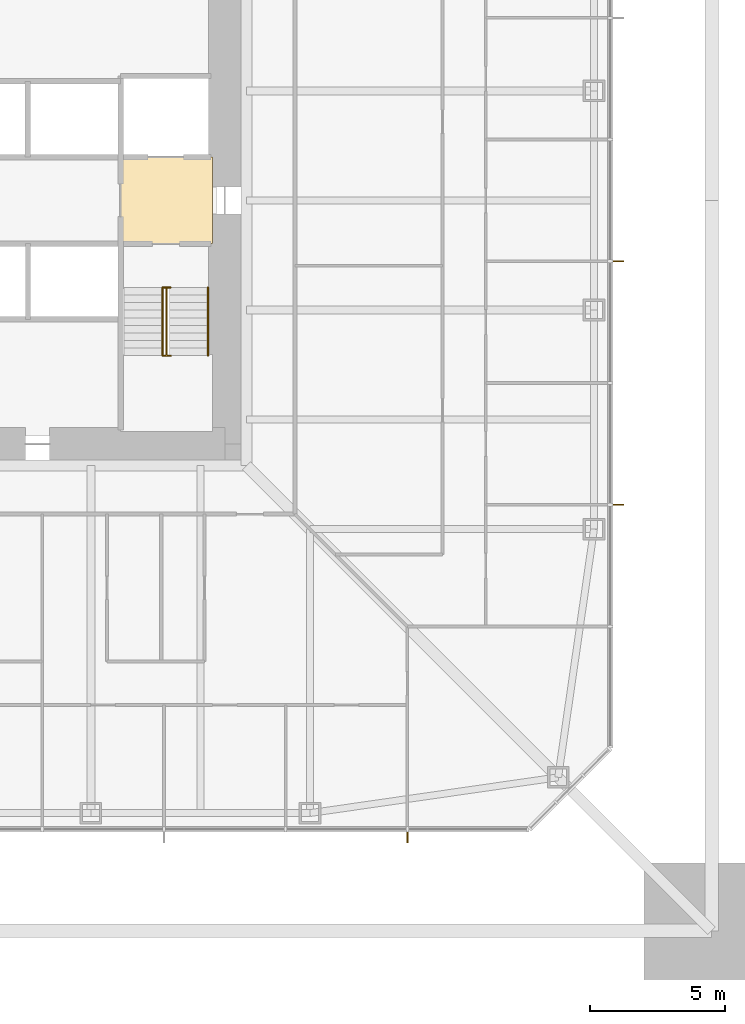
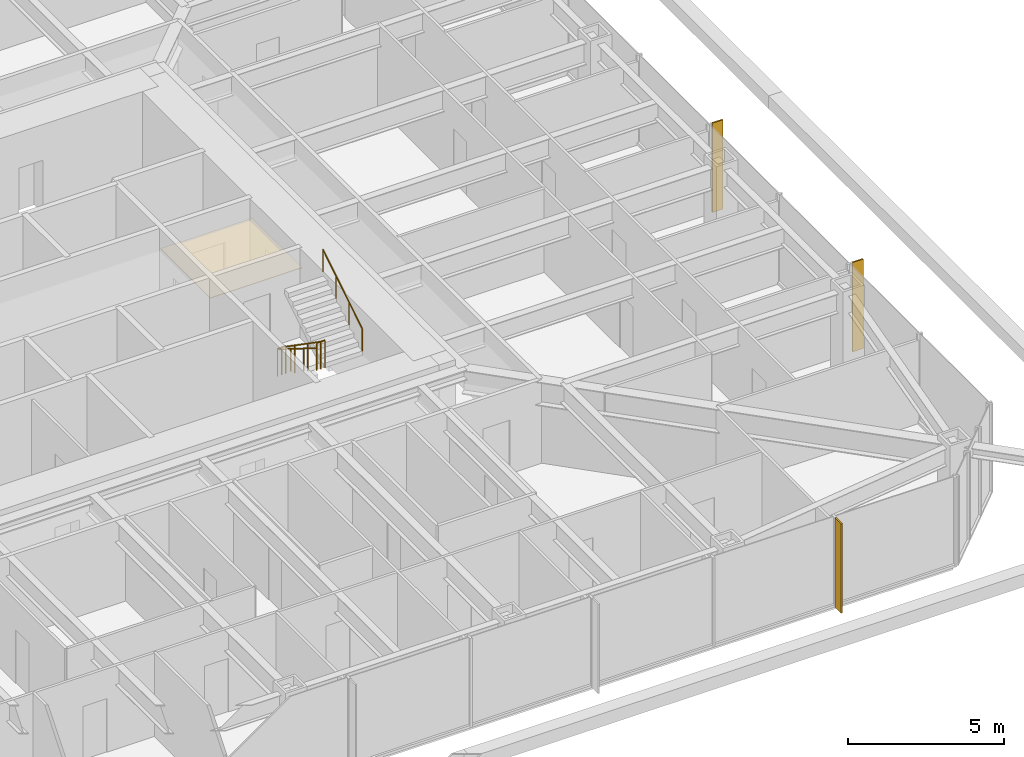
# One storey, part 25 of 27: 3 railings, 3 shading devices, 1 covering.
"""IFC4 building model written with IfcOpenShell, lengths in metres."""

from ifc_helpers import new_model, si_unit, direction, frame, origin, origin_2d, place, context, subcontext, project, spatial, polyline, rectangle, circle, outline, extrude, material, layer, layer_set, constituent, constituent_set, type_object, element, save


model = new_model("IFC4")

# Units and contexts
model_context = context("Model", 3, precision=1e-05, world=origin(), true_north=direction((0.0, 1.0)))
body_context = subcontext(model_context, "Body", "Model", "MODEL_VIEW")
ifc_project = project(units=[si_unit("LENGTHUNIT", "METRE"), si_unit("AREAUNIT", "SQUARE_METRE"), si_unit("VOLUMEUNIT", "CUBIC_METRE"), si_unit("PLANEANGLEUNIT", "RADIAN"), si_unit("MASSUNIT", "GRAM", prefix="KILO")], contexts=[model_context])

# Site, building, storey
site_placement = place(None, origin())
site = spatial("IfcSite", under=ifc_project, at=site_placement, CompositionType="ELEMENT")
building_placement = place(site_placement, origin())
building = spatial("IfcBuilding", under=site, at=building_placement, Name="Iwan Alto Co-Living Towers", CompositionType="ELEMENT")
storey_placement = place(building_placement, frame((0.0, 0.0, 53.5)))
storey = spatial("IfcBuildingStorey", under=building, at=storey_placement, Name="L14", CompositionType="ELEMENT", Elevation=53.5)

# Covering
ifc_material_1 = material(Name="Mineral fibre acoustic tiles on steel grid", Category="steel")
ifc_layer_1 = layer(ifc_material_1, 0.02001953125)
ifc_layer_set_1 = layer_set([ifc_layer_1], Name="ACOUSTIC TILE CEILING 20")
covering_type = type_object("IfcCoveringType", Name="ACOUSTIC TILE CEILING 20", PredefinedType="CEILING", material=ifc_layer_set_1)
covering_placement = place(storey_placement, frame((0.0, 0.0, 2.60009765625)))
element("IfcCovering", 1, at=covering_placement, inside=storey, type_object=covering_type, Name="Ceiling Firefighting lobby L14", PredefinedType="CEILING", context=body_context, shape_type="SweptSolid", body=[
    extrude(outline(polyline([(5.14990234375, -1.60009765625), (5.14990234375, 1.60009765625), (8.550048828125, 1.60009765625), (8.550048828125, -1.60009765625), (5.14990234375, -1.60009765625)])), origin(), (0.0, 0.0, 1.0), 0.02001953125),
])

# Shading devices
ifc_material_2 = material(Name="Aluminium 6063-T6 bronze anodised", Category="aluminium")
ifc_layer_2 = layer(ifc_material_2, 0.050048828125)
ifc_layer_set_2 = layer_set([ifc_layer_2], Name="BRONZE FIN 50X400")
shading_device_type = type_object("IfcShadingDeviceType", Name="BRONZE FIN 50X400", PredefinedType="USERDEFINED", material=ifc_layer_set_2)
for number, where, z_axis, x_axis, name in (
    (2, (15.75, -23.550048828125, 0.0), (0.0, 0.0, 1.0), (1.0, 0.0, 0.0), "Bronze fin L14"),
    (3, (23.550048828125, -11.25, 0.0), (0.0, 0.0, 1.0), (0.0, 1.0, 0.0), "Bronze fin L14"),
    (4, (23.550048828125, -2.25, 0.0), (0.0, 0.0, 1.0), (0.0, 1.0, 0.0), "Bronze fin L14"),
):
    element("IfcShadingDevice", number, at=place(storey_placement, frame(where, z_axis=z_axis, x_axis=x_axis)), inside=storey, type_object=shading_device_type, Name=name, ObjectType="LOUVER", PredefinedType="USERDEFINED", context=body_context, shape_type="SweptSolid", body=[
        extrude(rectangle(XDim=0.050048828125, YDim=0.39990234375, at=origin_2d()), origin(), (0.0, 0.0, 1.0), 3.5),
    ])

# Railings
ifc_material_3 = material(Name="Steel ASTM A500 Gr C", Category="steel")
ifc_constituent_1 = constituent(ifc_material_3, Name="Rails and posts", Category="Framing")
ifc_material_4 = material(Name="Steel ASTM A36", Category="steel")
ifc_constituent_2 = constituent(ifc_material_4, Name="Bar infill", Category="Infill")
ifc_constituent_set = constituent_set(constituents=[ifc_constituent_1, ifc_constituent_2], Name="STAIR GUARD 1100")
railing_type_1 = type_object("IfcRailingType", Name="STAIR GUARD 1100", PredefinedType="GUARDRAIL", material=ifc_constituent_set)
railing_1_placement = place(storey_placement, frame((6.85009765625, -3.219970703125, 0.0)))
element("IfcRailing", 5, at=railing_1_placement, inside=storey, type_object=railing_type_1, Name="Stair T1-S2 well guard L14", PredefinedType="GUARDRAIL", context=body_context, shape_type="SweptSolid", body=[
    extrude(circle(Radius=0.02392578125, at=origin_2d()), frame((0.0, 0.0, 1.076171875), z_axis=(0.0, -0.821372036852, 0.570392826987), x_axis=(1.0, 0.0, 0.0)), (0.0, 0.0, 1.0), 3.068115234375),
    extrude(circle(Radius=0.02392578125, at=origin_2d()), frame((-0.150146484375, 0.0, 1.076171875), z_axis=(1.0, 0.0, 0.0), x_axis=(0.0, 1.0, 0.0)), (0.0, 0.0, 1.0), 0.300048828125),
    extrude(circle(Radius=0.02392578125, at=origin_2d()), frame((-0.150146484375, -2.52001953125, 2.826171875), z_axis=(1.0, 0.0, 0.0), x_axis=(0.0, 1.0, 0.0)), (0.0, 0.0, 1.0), 0.300048828125),
    extrude(circle(Radius=0.02099609375, at=origin_2d()), origin(), (0.0, 0.0, 1.0), 1.052001953125),
    extrude(circle(Radius=0.02099609375, at=origin_2d()), frame((0.0, -0.840087890625, 0.583251953125)), (0.0, 0.0, 1.0), 1.052001953125),
    extrude(circle(Radius=0.02099609375, at=origin_2d()), frame((0.0, -1.679931640625, 1.166748046875)), (0.0, 0.0, 1.0), 1.052001953125),
    extrude(circle(Radius=0.02099609375, at=origin_2d()), frame((0.0, -2.52001953125, 1.75)), (0.0, 0.0, 1.0), 1.052001953125),
    extrude(circle(Radius=0.02099609375, at=origin_2d()), frame((-0.150146484375, 0.0, 0.0)), (0.0, 0.0, 1.0), 1.052001953125),
    extrude(circle(Radius=0.02099609375, at=origin_2d()), frame((0.14990234375, 0.0, 0.0)), (0.0, 0.0, 1.0), 1.052001953125),
    extrude(circle(Radius=0.02099609375, at=origin_2d()), frame((-0.150146484375, -2.52001953125, 1.75)), (0.0, 0.0, 1.0), 1.052001953125),
    extrude(circle(Radius=0.02099609375, at=origin_2d()), frame((0.14990234375, -2.52001953125, 1.75)), (0.0, 0.0, 1.0), 1.052001953125),
])
ifc_material_5 = material(Name="Steel ASTM A500 Gr C", Category="steel")
railing_type_2 = type_object("IfcRailingType", Name="STAIR HANDRAIL 900", PredefinedType="HANDRAIL", material=ifc_material_5)
railing_2_placement = place(storey_placement, frame((6.699951171875, -3.219970703125, 0.175048828125)))
element("IfcRailing", 6, at=railing_2_placement, inside=storey, type_object=railing_type_2, Name="Stair T1-S2 handrail 1 L14", PredefinedType="HANDRAIL", context=body_context, shape_type="SweptSolid", body=[
    extrude(circle(Radius=0.02392578125, at=origin_2d()), frame((0.0, 0.0, 0.8759765625), z_axis=(0.0, -0.848007534815, 0.529984170421), x_axis=(1.0, 0.0, 0.0)), (0.0, 0.0, 1.0), 2.9716796875),
    extrude(circle(Radius=0.02099609375, at=origin_2d()), origin(), (0.0, 0.0, 1.0), 0.851806640625),
    extrude(circle(Radius=0.02099609375, at=origin_2d()), frame((0.0, -0.840087890625, 0.52490234375)), (0.0, 0.0, 1.0), 0.851806640625),
    extrude(circle(Radius=0.02099609375, at=origin_2d()), frame((0.0, -1.679931640625, 1.050048828125)), (0.0, 0.0, 1.0), 0.851806640625),
    extrude(circle(Radius=0.02099609375, at=origin_2d()), frame((0.0, -2.52001953125, 1.574951171875)), (0.0, 0.0, 1.0), 0.851806640625),
])
railing_3_placement = place(storey_placement, frame((8.3798828125, -5.739990234375, 1.925048828125)))
element("IfcRailing", 7, at=railing_3_placement, inside=storey, type_object=railing_type_2, Name="Stair T1-S2 handrail 2 L14", PredefinedType="HANDRAIL", context=body_context, shape_type="SweptSolid", body=[
    extrude(circle(Radius=0.02392578125, at=origin_2d()), frame((0.0, 0.0, 0.8759765625), z_axis=(0.0, 0.848007534815, 0.529984170421), x_axis=(-1.0, 0.0, 0.0)), (0.0, 0.0, 1.0), 2.9716796875),
    extrude(circle(Radius=0.02099609375, at=origin_2d()), origin(), (0.0, 0.0, 1.0), 0.851806640625),
    extrude(circle(Radius=0.02099609375, at=origin_2d()), frame((0.0, 0.840087890625, 0.52490234375)), (0.0, 0.0, 1.0), 0.851806640625),
    extrude(circle(Radius=0.02099609375, at=origin_2d()), frame((0.0, 1.679931640625, 1.050048828125)), (0.0, 0.0, 1.0), 0.851806640625),
    extrude(circle(Radius=0.02099609375, at=origin_2d()), frame((0.0, 2.52001953125, 1.574951171875)), (0.0, 0.0, 1.0), 0.851806640625),
])

save(model, "model.ifc")
